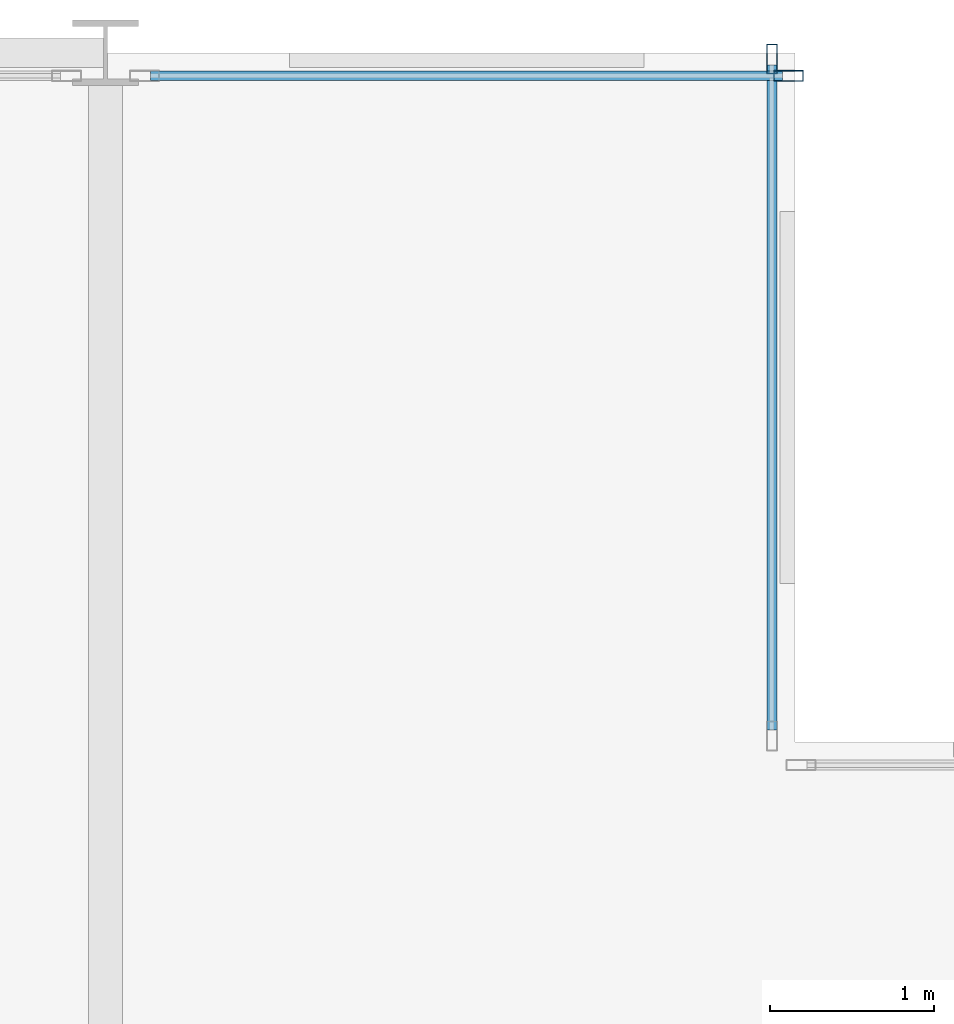
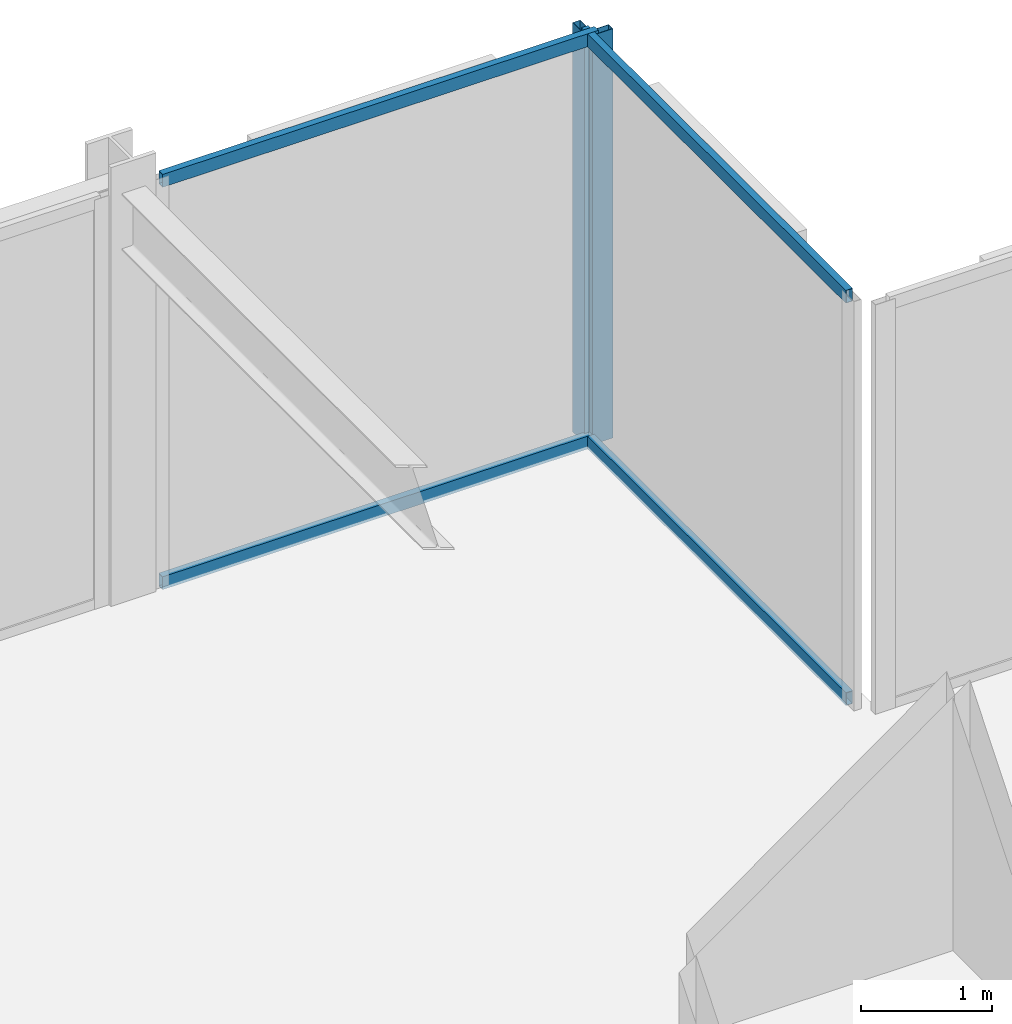
# One storey, part 22 of 29: 6 members, 2 elements without a shape of their own.
"""IFC4 building model written with IfcOpenShell, lengths in metres."""

from ifc_helpers import new_model, si_unit, direction, frame, origin, origin_2d, place, context, subcontext, project, spatial, hollow_rectangle, extrude, material, layer, layer_set, material_profile, profile_set, type_object, element, aggregate, save


model = new_model("IFC4")

# Units and contexts
model_context = context("Model", 3, precision=1e-05, world=origin(), true_north=direction((0.0, 1.0)))
body_context = subcontext(model_context, "Body", "Model", "MODEL_VIEW")
ifc_project = project(units=[si_unit("LENGTHUNIT", "METRE"), si_unit("AREAUNIT", "SQUARE_METRE"), si_unit("VOLUMEUNIT", "CUBIC_METRE"), si_unit("PLANEANGLEUNIT", "RADIAN"), si_unit("MASSUNIT", "GRAM", prefix="KILO")], contexts=[model_context])

# Site, building, storey
site_placement = place(None, origin())
site = spatial("IfcSite", under=ifc_project, at=site_placement, CompositionType="ELEMENT")
building_placement = place(site_placement, origin())
building = spatial("IfcBuilding", under=site, at=building_placement, Name="Nerrivon Quay Data Exchange", CompositionType="ELEMENT")
storey_placement = place(building_placement, frame((0.0, 0.0, 133.60009765625)))
storey = spatial("IfcBuildingStorey", under=building, at=storey_placement, Name="L31", CompositionType="ELEMENT", Elevation=133.60009765625)

# Curtain wall, member
ifc_material = material(Name="Anodised aluminium 6063-T6", Category="aluminium")
ifc_layer = layer(ifc_material, 0.2099609375)
ifc_layer_set = layer_set([ifc_layer], Name="Anodised aluminium 6063-T6")
curtain_wall_type = type_object("IfcCurtainWallType", Name="CW-SYS-02", PredefinedType="NOTDEFINED", material=ifc_layer_set)
curtain_wall_1_placement = place(storey_placement, origin())
curtain_wall_1 = element("IfcCurtainWall", 1, at=curtain_wall_1_placement, inside=storey, type_object=curtain_wall_type, Name="L31 Unitised Curtain Wall 20", PredefinedType="NOTDEFINED")
ifc_material_profile_1 = material_profile(ifc_material, hollow_rectangle(XDim=0.06494140625, YDim=0.179931640625, WallThickness=0.00341796875, at=origin_2d()), Name="ALU-MULL-180x65")
ifc_profile_set_1 = profile_set([ifc_material_profile_1], Name="Anodised aluminium 6063-T6")
member_type_1 = type_object("IfcMemberType", Name="CWM-180x65", PredefinedType="MULLION", material=ifc_profile_set_1)
member_1_placement = place(storey_placement, frame((20.96240234375, 50.260009765625, 0.0), z_axis=(0.0, 0.0, 1.0), x_axis=(0.0, 1.0, 0.0)))
member_1 = element("IfcMember", 2, at=member_1_placement, type_object=member_type_1, Name="CW02 mullion 2", PredefinedType="MULLION", context=body_context, shape_type="SweptSolid", body=[
    extrude(hollow_rectangle(XDim=0.06494140625, YDim=0.179931640625, WallThickness=0.00341796875, at=origin_2d()), origin(), (0.0, 0.0, 1.0), 3.824951171875),
])

curtain_wall_2_placement = place(storey_placement, origin())
curtain_wall_2 = element("IfcCurtainWall", 3, at=curtain_wall_2_placement, inside=storey, type_object=curtain_wall_type, Name="L31 Unitised Curtain Wall 21", PredefinedType="NOTDEFINED")
member_2_placement = place(storey_placement, frame((20.860107421875, 50.362548828125, 0.0), z_axis=(0.0, 0.0, 1.0), x_axis=(1.0, 0.0, 0.0)))
member_2 = element("IfcMember", 4, at=member_2_placement, type_object=member_type_1, Name="CW02 mullion 1", PredefinedType="MULLION", context=body_context, shape_type="SweptSolid", body=[
    extrude(hollow_rectangle(XDim=0.06494140625, YDim=0.179931640625, WallThickness=0.00341796875, at=origin_2d()), origin(), (0.0, 0.0, 1.0), 3.824951171875),
])

# Member
ifc_material_profile_2 = material_profile(ifc_material, hollow_rectangle(XDim=0.06005859375, YDim=0.1201171875, WallThickness=0.003173828125, at=origin_2d()), Name="ALU-TRAN-120x60")
ifc_profile_set_2 = profile_set([ifc_material_profile_2], Name="Anodised aluminium 6063-T6")
member_type_2 = type_object("IfcMemberType", Name="CWT-120x60", PredefinedType="USERDEFINED", material=ifc_profile_set_2)
member_3_placement = place(storey_placement, frame((17.074951171875, 50.260009765625, 0.032470703125), z_axis=(1.0, 0.0, 0.0), x_axis=(0.0, 1.0, 0.0)))
member_3 = element("IfcMember", 5, at=member_3_placement, type_object=member_type_2, Name="CW02 transom 1.1", ObjectType="TRANSOM", PredefinedType="USERDEFINED", context=body_context, shape_type="SweptSolid", body=[
    extrude(hollow_rectangle(XDim=0.06005859375, YDim=0.1201171875, WallThickness=0.003173828125, at=origin_2d()), origin(), (0.0, 0.0, 1.0), 3.85009765625),
])

member_4_placement = place(storey_placement, frame((17.074951171875, 50.260009765625, 3.79248046875), z_axis=(1.0, 0.0, 0.0), x_axis=(0.0, 1.0, 0.0)))
member_4 = element("IfcMember", 6, at=member_4_placement, type_object=member_type_2, Name="CW02 transom 1.2", ObjectType="TRANSOM", PredefinedType="USERDEFINED", context=body_context, shape_type="SweptSolid", body=[
    extrude(hollow_rectangle(XDim=0.06005859375, YDim=0.1201171875, WallThickness=0.003173828125, at=origin_2d()), origin(), (0.0, 0.0, 1.0), 3.85009765625),
])

aggregate(curtain_wall_1, [member_1, member_3, member_4])

member_5_placement = place(storey_placement, frame((20.860107421875, 50.324951171875, 0.032470703125), z_axis=(0.0, -1.0, 0.0), x_axis=(1.0, 0.0, 0.0)))
member_5 = element("IfcMember", 7, at=member_5_placement, type_object=member_type_2, Name="CW02 transom 1.1", ObjectType="TRANSOM", PredefinedType="USERDEFINED", context=body_context, shape_type="SweptSolid", body=[
    extrude(hollow_rectangle(XDim=0.06005859375, YDim=0.1201171875, WallThickness=0.003173828125, at=origin_2d()), origin(), (0.0, 0.0, 1.0), 4.050048828125),
])

member_6_placement = place(storey_placement, frame((20.860107421875, 50.324951171875, 3.79248046875), z_axis=(0.0, -1.0, 0.0), x_axis=(1.0, 0.0, 0.0)))
member_6 = element("IfcMember", 8, at=member_6_placement, type_object=member_type_2, Name="CW02 transom 1.2", ObjectType="TRANSOM", PredefinedType="USERDEFINED", context=body_context, shape_type="SweptSolid", body=[
    extrude(hollow_rectangle(XDim=0.06005859375, YDim=0.1201171875, WallThickness=0.003173828125, at=origin_2d()), origin(), (0.0, 0.0, 1.0), 4.050048828125),
])

aggregate(curtain_wall_2, [member_2, member_5, member_6])

save(model, "model.ifc")
